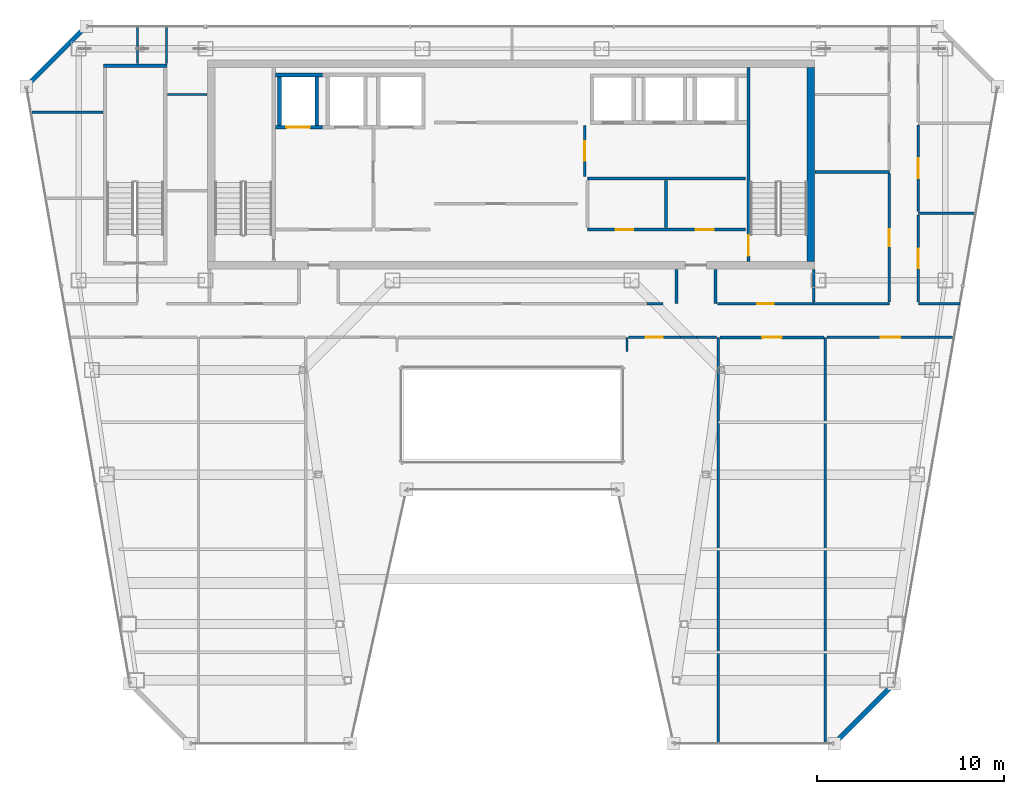
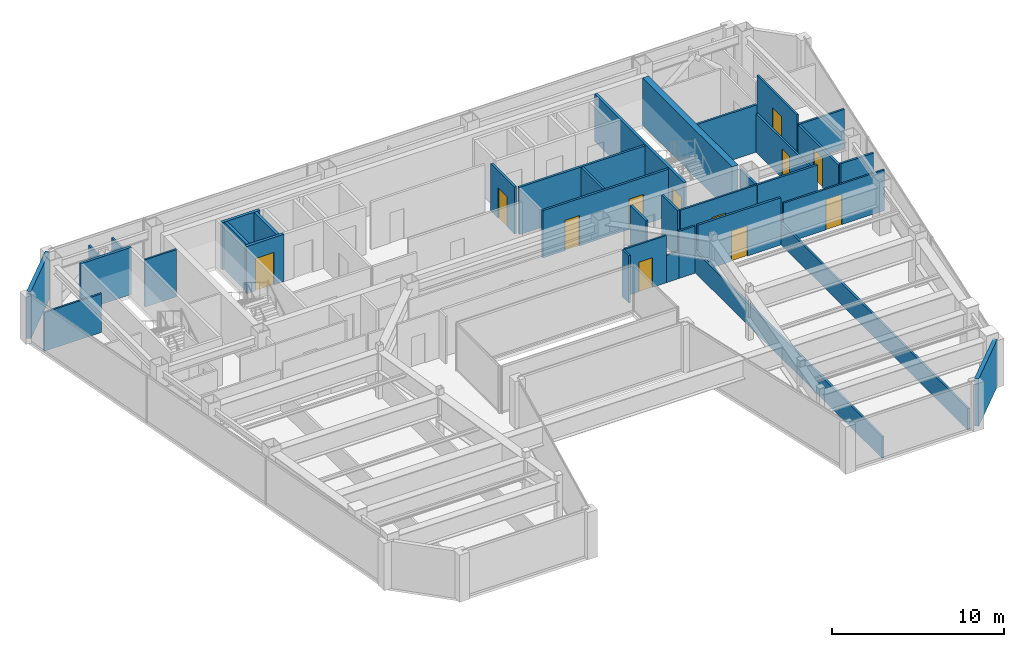
# One storey, part 29 of 35: 37 walls, 12 doors, 12 openings.
"""IFC4 building model written with IfcOpenShell, lengths in metres."""

from ifc_helpers import new_model, si_unit, direction, frame, frame_2d, origin, place, context, subcontext, project, spatial, rectangle, extrude, material, layer, layer_set, type_object, element, fill, save


model = new_model("IFC4")

# Units and contexts
model_context = context("Model", 3, precision=1e-05, world=origin(), true_north=direction((0.0, 1.0)))
body_context = subcontext(model_context, "Body", "Model", "MODEL_VIEW")
ifc_project = project(units=[si_unit("LENGTHUNIT", "METRE"), si_unit("AREAUNIT", "SQUARE_METRE"), si_unit("VOLUMEUNIT", "CUBIC_METRE"), si_unit("PLANEANGLEUNIT", "RADIAN"), si_unit("MASSUNIT", "GRAM", prefix="KILO")], contexts=[model_context])

# Site, building, storey
site_placement = place(None, origin())
site = spatial("IfcSite", under=ifc_project, at=site_placement, CompositionType="ELEMENT")
building_placement = place(site_placement, origin())
building = spatial("IfcBuilding", under=site, at=building_placement, Name="Saevonmaru Cultural Tower", CompositionType="ELEMENT")
storey_placement = place(building_placement, frame((0.0, 0.0, 249.60009765625)))
storey = spatial("IfcBuildingStorey", under=building, at=storey_placement, Name="L58", CompositionType="ELEMENT", Elevation=249.60009765625)

# Wall
ifc_material_1 = material(Name="Concrete C50/60", Category="concrete")
ifc_layer_1 = layer(ifc_material_1, 0.39990234375, Name="Concrete C50/60")
ifc_layer_set_1 = layer_set([ifc_layer_1], Name="Concrete C50/60")
wall_type_1 = type_object("IfcWallType", Name="WL-CORE-400", PredefinedType="SHEAR", material=ifc_layer_set_1)
wall_1_placement = place(storey_placement, frame((46.0, 43.39990234375, 0.0), z_axis=(0.0, 0.0, 1.0), x_axis=(0.0, 1.0, 0.0)))
element("IfcWall", 1, at=wall_1_placement, inside=storey, type_object=wall_type_1, Name="L58 Tower RC core shear wall E", PredefinedType="SHEAR", context=body_context, shape_type="SweptSolid", body=[
    extrude(rectangle(XDim=10.400146484375, YDim=0.39990234375, at=frame_2d((5.2001953125, 0.0))), origin(), (0.0, 0.0, 1.0), 3.349853515625),
])

# Wall, opening, door
ifc_material_2 = material(Name="Gypsum Fireboard Partition", Category="gypsum")
ifc_layer_2 = layer(ifc_material_2, 0.14990234375, Name="Gypsum Fireboard Partition")
ifc_layer_set_2 = layer_set([ifc_layer_2], Name="Gypsum Fireboard Partition")
wall_type_2 = type_object("IfcWallType", Name="WL-CORE-PART-150", PredefinedType="PARTITIONING", material=ifc_layer_set_2)
wall_2_placement = place(storey_placement, frame((33.89990234375, 47.949951171875, 0.0), z_axis=(0.0, 0.0, 1.0), x_axis=(0.0, 1.0, 0.0)))
wall_2 = element("IfcWall", 2, at=wall_2_placement, inside=storey, type_object=wall_type_2, Name="L58 Zone Lobby Divider", PredefinedType="PARTITIONING", context=body_context, shape_type="SweptSolid", body=[
    extrude(rectangle(XDim=2.75, YDim=0.14990234375, at=frame_2d((1.375, 0.0))), origin(), (0.0, 0.0, 1.0), 3.349853515625),
])
opening_1_placement = place(wall_2_placement, frame((0.85009765625, 0.0, 0.0)))
opening_1 = element("IfcOpeningElement", 3, at=opening_1_placement, cuts=wall_2, Name="Opening ID-1", PredefinedType="OPENING", context=body_context, shape_type="SweptSolid", body=[
    extrude(rectangle(XDim=1.050048828125, YDim=2.14990234375, at=frame_2d((0.52490234375, 1.074951171875))), frame((0.0, 0.0849609375, 0.0), z_axis=(0.0, -1.0, 0.0), x_axis=(1.0, 0.0, 0.0)), (0.0, 0.0, 1.0), 0.169921875),
])
ifc_material_3 = material(Name="Satin Bronze Anodised Aluminium", Category="aluminium")
door_type_1 = type_object("IfcDoorType", Name="DR-INT-1050", OperationType="SINGLE_SWING_LEFT", PredefinedType="DOOR", material=ifc_material_3)
door_1_placement = place(opening_1_placement, origin())
door_1 = element("IfcDoor", 4, at=door_1_placement, inside=storey, type_object=door_type_1, Name="L58 Inter-Lobby Link Door", OperationType="SINGLE_SWING_LEFT", OverallHeight=2.14990234375, OverallWidth=1.050048828125, PredefinedType="DOOR", context=body_context, shape_type="SweptSolid", body=[
    extrude(rectangle(XDim=1.050048828125, YDim=2.14990234375, at=frame_2d((0.52490234375, 1.074951171875))), frame((0.0, 0.02490234375, 0.0), z_axis=(0.0, -1.0, 0.0), x_axis=(1.0, 0.0, 0.0)), (0.0, 0.0, 1.0), 0.050048828125),
])
fill(opening_1, door_1)

# Wall, openings, doors
wall_3_placement = place(storey_placement, frame((34.050048828125, 45.1201171875, 0.0), z_axis=(0.0, 0.0, 1.0), x_axis=(1.0, 0.0, 0.0)))
wall_3 = element("IfcWall", 5, at=wall_3_placement, inside=storey, type_object=wall_type_2, Name="L58 Core Plant South Wall", PredefinedType="PARTITIONING", context=body_context, shape_type="SweptSolid", body=[
    extrude(rectangle(XDim=8.449951171875, YDim=0.14990234375, at=frame_2d((4.22509765625, 0.0))), origin(), (0.0, 0.0, 1.0), 3.349853515625),
])
opening_2_placement = place(wall_3_placement, frame((1.5, 0.0, 0.0)))
opening_2 = element("IfcOpeningElement", 6, at=opening_2_placement, cuts=wall_3, Name="Opening FD-4", PredefinedType="OPENING", context=body_context, shape_type="SweptSolid", body=[
    extrude(rectangle(XDim=0.949951171875, YDim=2.14990234375, at=frame_2d((0.47509765625, 1.074951171875))), frame((0.0, 0.0849609375, 0.0), z_axis=(0.0, -1.0, 0.0), x_axis=(1.0, 0.0, 0.0)), (0.0, 0.0, 1.0), 0.169921875),
])
opening_3_placement = place(wall_3_placement, frame((5.800048828125, 0.0, 0.0)))
opening_3 = element("IfcOpeningElement", 7, at=opening_3_placement, cuts=wall_3, Name="Opening FD-4", PredefinedType="OPENING", context=body_context, shape_type="SweptSolid", body=[
    extrude(rectangle(XDim=0.949951171875, YDim=2.14990234375, at=frame_2d((0.47509765625, 1.074951171875))), frame((0.0, 0.0849609375, 0.0), z_axis=(0.0, -1.0, 0.0), x_axis=(1.0, 0.0, 0.0)), (0.0, 0.0, 1.0), 0.169921875),
])
door_type_2 = type_object("IfcDoorType", Name="DR-FD60-950", OperationType="SINGLE_SWING_LEFT", PredefinedType="DOOR", material=ifc_material_3)
door_2_placement = place(opening_2_placement, origin())
door_2 = element("IfcDoor", 8, at=door_2_placement, inside=storey, type_object=door_type_2, Name="L58 Floor AHU Plant Door", OperationType="SINGLE_SWING_LEFT", OverallHeight=2.14990234375, OverallWidth=0.949951171875, PredefinedType="DOOR", context=body_context, shape_type="SweptSolid", body=[
    extrude(rectangle(XDim=0.949951171875, YDim=2.14990234375, at=frame_2d((0.47509765625, 1.074951171875))), frame((0.0, 0.02490234375, 0.0), z_axis=(0.0, -1.0, 0.0), x_axis=(1.0, 0.0, 0.0)), (0.0, 0.0, 1.0), 0.050048828125),
])
fill(opening_2, door_2)
door_3_placement = place(opening_3_placement, origin())
door_3 = element("IfcDoor", 9, at=door_3_placement, inside=storey, type_object=door_type_2, Name="L58 Housekeeping Storage Door", OperationType="SINGLE_SWING_LEFT", OverallHeight=2.14990234375, OverallWidth=0.949951171875, PredefinedType="DOOR", context=body_context, shape_type="SweptSolid", body=[
    extrude(rectangle(XDim=0.949951171875, YDim=2.14990234375, at=frame_2d((0.47509765625, 1.074951171875))), frame((0.0, 0.02490234375, 0.0), z_axis=(0.0, -1.0, 0.0), x_axis=(1.0, 0.0, 0.0)), (0.0, 0.0, 1.0), 0.050048828125),
])
fill(opening_3, door_3)

# Walls
wall_4_placement = place(storey_placement, frame((34.050048828125, 47.85009765625, 0.0), z_axis=(0.0, 0.0, 1.0), x_axis=(1.0, 0.0, 0.0)))
element("IfcWall", 10, at=wall_4_placement, inside=storey, type_object=wall_type_2, Name="L58 Core Plant North Wall", PredefinedType="PARTITIONING", context=body_context, shape_type="SweptSolid", body=[
    extrude(rectangle(XDim=8.449951171875, YDim=0.14990234375, at=frame_2d((4.22509765625, 0.0))), origin(), (0.0, 0.0, 1.0), 3.349853515625),
])
wall_5_placement = place(storey_placement, frame((38.25, 45.219970703125, 0.0), z_axis=(0.0, 0.0, 1.0), x_axis=(0.0, 1.0, 0.0)))
element("IfcWall", 11, at=wall_5_placement, inside=storey, type_object=wall_type_2, Name="L58 Core Plant Split", PredefinedType="PARTITIONING", context=body_context, shape_type="SweptSolid", body=[
    extrude(rectangle(XDim=2.530029296875, YDim=0.14990234375, at=frame_2d((1.26513671875, 0.0))), origin(), (0.0, 0.0, 1.0), 3.349853515625),
])
ifc_material_4 = material(Name="Granite-Clad Precast Concrete C40/50", Category="masonry")
ifc_layer_3 = layer(ifc_material_4, 0.260009765625, Name="Granite-Clad Precast Concrete C40/50")
ifc_layer_set_3 = layer_set([ifc_layer_3], Name="Granite-Clad Precast Concrete C40/50")
wall_type_3 = type_object("IfcWallType", Name="WL-EXT-SPANDREL-260", PredefinedType="STANDARD", material=ifc_layer_set_3)
wall_6_placement = place(storey_placement, frame((47.366455078125, 17.713134765625, 0.0), z_axis=(0.0, 0.0, 1.0), x_axis=(0.70707775441, 0.707135806771, 0.0)))
element("IfcWall", 12, at=wall_6_placement, inside=storey, type_object=wall_type_3, Name="L58 Chamfer Corner Spandrel Wall E7", PredefinedType="STANDARD", context=body_context, shape_type="SweptSolid", body=[
    extrude(rectangle(XDim=4.20556640625, YDim=0.260009765625, at=frame_2d((2.102783203125, 0.0))), origin(), (0.0, 0.0, 1.0), 3.349853515625),
])
wall_7_placement = place(storey_placement, frame((7.0869140625, 55.886962890625, 0.0), z_axis=(0.0, 0.0, 1.0), x_axis=(-0.707106781187, -0.707106781187, 0.0)))
element("IfcWall", 13, at=wall_7_placement, inside=storey, type_object=wall_type_3, Name="L58 Chamfer Corner Spandrel Wall E11", PredefinedType="STANDARD", context=body_context, shape_type="SweptSolid", body=[
    extrude(rectangle(XDim=4.205810546875, YDim=0.260009765625, at=frame_2d((2.10302734375, 0.0))), origin(), (0.0, 0.0, 1.0), 3.349853515625),
])

# Wall, opening, door
ifc_layer_4 = layer(ifc_material_2, 0.14990234375, Name="Gypsum Fireboard Partition")
ifc_layer_set_4 = layer_set([ifc_layer_4], Name="Gypsum Fireboard Partition")
wall_type_4 = type_object("IfcWallType", Name="WL-PART-FIRE-150", PredefinedType="PARTITIONING", material=ifc_layer_set_4)
wall_8_placement = place(storey_placement, frame((51.75, 41.237548828125, 0.0), z_axis=(0.0, 0.0, 1.0), x_axis=(0.0, 1.0, 0.0)))
wall_8 = element("IfcWall", 14, at=wall_8_placement, inside=storey, type_object=wall_type_4, Name="L58 East Asian Ceramics Gallery Corridor Wall", PredefinedType="PARTITIONING", context=body_context, shape_type="SweptSolid", body=[
    extrude(rectangle(XDim=4.675048828125, YDim=0.14990234375, at=frame_2d((2.33740234375, 0.0))), origin(), (0.0, 0.0, 1.0), 2.746826171875),
])
opening_4_placement = place(wall_8_placement, frame((1.81298828125, 0.0, 0.0)))
opening_4 = element("IfcOpeningElement", 15, at=opening_4_placement, cuts=wall_8, Name="Opening ID-1", PredefinedType="OPENING", context=body_context, shape_type="SweptSolid", body=[
    extrude(rectangle(XDim=1.050048828125, YDim=2.14990234375, at=frame_2d((0.52490234375, 1.074951171875))), frame((0.0, 0.0849609375, 0.0), z_axis=(0.0, -1.0, 0.0), x_axis=(1.0, 0.0, 0.0)), (0.0, 0.0, 1.0), 0.169921875),
])
door_4_placement = place(opening_4_placement, origin())
door_4 = element("IfcDoor", 16, at=door_4_placement, inside=storey, type_object=door_type_1, Name="L58 East Asian Ceramics Gallery Door", OperationType="SINGLE_SWING_RIGHT", OverallHeight=2.14990234375, OverallWidth=1.050048828125, PredefinedType="DOOR", context=body_context, shape_type="SweptSolid", body=[
    extrude(rectangle(XDim=1.050048828125, YDim=2.14990234375, at=frame_2d((0.52490234375, 1.074951171875))), frame((0.0, 0.02490234375, 0.0), z_axis=(0.0, -1.0, 0.0), x_axis=(1.0, 0.0, 0.0)), (0.0, 0.0, 1.0), 0.050048828125),
])
fill(opening_4, door_4)

# Walls
for number, where, z_axis, x_axis, name in (
    (17, (38.800048828125, 41.14990234375, 0.0), (0.0, 0.0, 1.0), (0.0, 1.0, 0.0), "L58 Core Portal Side Wall E1"),
    (18, (40.89990234375, 41.14990234375, 0.0), (0.0, 0.0, 1.0), (0.0, 1.0, 0.0), "L58 Core Portal Side Wall E2"),
):
    element("IfcWall", number, at=place(storey_placement, frame(where, z_axis=z_axis, x_axis=x_axis)), inside=storey, type_object=wall_type_4, Name=name, PredefinedType="PARTITIONING", context=body_context, shape_type="SweptSolid", body=[
        extrude(rectangle(XDim=1.830078125, YDim=0.14990234375, at=frame_2d((0.9150390625, 0.0))), origin(), (0.0, 0.0, 1.0), 3.349853515625),
    ])

# Wall, opening, door
wall_9_placement = place(storey_placement, frame((41.12744140625, 39.35009765625, 0.0), z_axis=(0.0, 0.0, 1.0), x_axis=(1.0, 0.0, 0.0)))
wall_9 = element("IfcWall", 19, at=wall_9_placement, inside=storey, type_object=wall_type_4, Name="L58 East Asian Ceramics Gallery Corridor Wall", PredefinedType="PARTITIONING", context=body_context, shape_type="SweptSolid", body=[
    extrude(rectangle(XDim=5.56494140625, YDim=0.14990234375, at=frame_2d((2.782470703125, 0.0))), origin(), (0.0, 0.0, 1.0), 3.349853515625),
])
opening_5_placement = place(wall_9_placement, frame((2.258056640625, 0.0, 0.0)))
opening_5 = element("IfcOpeningElement", 20, at=opening_5_placement, cuts=wall_9, Name="Opening ID-1", PredefinedType="OPENING", context=body_context, shape_type="SweptSolid", body=[
    extrude(rectangle(XDim=1.050048828125, YDim=2.14990234375, at=frame_2d((0.52490234375, 1.074951171875))), frame((0.0, 0.0849609375, 0.0), z_axis=(0.0, -1.0, 0.0), x_axis=(1.0, 0.0, 0.0)), (0.0, 0.0, 1.0), 0.169921875),
])
door_5_placement = place(opening_5_placement, origin())
door_5 = element("IfcDoor", 21, at=door_5_placement, inside=storey, type_object=door_type_1, Name="L58 East Asian Ceramics Gallery Door", OperationType="SINGLE_SWING_RIGHT", OverallHeight=2.14990234375, OverallWidth=1.050048828125, PredefinedType="DOOR", context=body_context, shape_type="SweptSolid", body=[
    extrude(rectangle(XDim=1.050048828125, YDim=2.14990234375, at=frame_2d((0.52490234375, 1.074951171875))), frame((0.0, 0.02490234375, 0.0), z_axis=(0.0, -1.0, 0.0), x_axis=(1.0, 0.0, 0.0)), (0.0, 0.0, 1.0), 0.050048828125),
])
fill(opening_5, door_5)

# Walls
ifc_layer_5 = layer(ifc_material_2, 0.1201171875, Name="Gypsum Fireboard Partition")
ifc_layer_set_5 = layer_set([ifc_layer_5], Name="Gypsum Fireboard Partition")
wall_type_5 = type_object("IfcWallType", Name="WL-PART-GYP-120", PredefinedType="PARTITIONING", material=ifc_layer_set_5)
wall_10_placement = place(storey_placement, frame((11.550048828125, 52.35009765625, 0.0), z_axis=(0.0, 0.0, 1.0), x_axis=(1.0, 0.0, 0.0)))
element("IfcWall", 22, at=wall_10_placement, inside=storey, type_object=wall_type_5, Name="L58 North-West Panorama South Wall", PredefinedType="PARTITIONING", context=body_context, shape_type="SweptSolid", body=[
    extrude(rectangle(XDim=2.1298828125, YDim=0.1201171875, at=frame_2d((1.06494140625, 0.0))), origin(), (0.0, 0.0, 1.0), 3.349853515625),
])
wall_11_placement = place(storey_placement, frame((11.5, 54.0, 0.0), z_axis=(0.0, 0.0, 1.0), x_axis=(0.0, 1.0, 0.0)))
element("IfcWall", 23, at=wall_11_placement, inside=storey, type_object=wall_type_5, Name="L58 Literature Seminar Meeting Room Corridor Wall", PredefinedType="PARTITIONING", context=body_context, shape_type="SweptSolid", body=[
    extrude(rectangle(XDim=1.9951171875, YDim=0.1201171875, at=frame_2d((0.99755859375, 0.0))), origin(), (0.0, 0.0, 1.0), 2.73486328125),
])
wall_12_placement = place(storey_placement, frame((4.247802734375, 51.39990234375, 0.0), z_axis=(0.0, 0.0, 1.0), x_axis=(1.0, 0.0, 0.0)))
element("IfcWall", 24, at=wall_12_placement, inside=storey, type_object=wall_type_5, Name="L58 NW Studio Divider 2", PredefinedType="PARTITIONING", context=body_context, shape_type="SweptSolid", body=[
    extrude(rectangle(XDim=3.852294921875, YDim=0.1201171875, at=frame_2d((1.92626953125, 0.0))), origin(), (0.0, 0.0, 1.0), 2.746826171875),
])
wall_13_placement = place(storey_placement, frame((9.949951171875, 54.0, 0.0), z_axis=(0.0, 0.0, 1.0), x_axis=(0.0, 1.0, 0.0)))
element("IfcWall", 25, at=wall_13_placement, inside=storey, type_object=wall_type_5, Name="L58 Literature Seminar Meeting Room Corridor Wall", PredefinedType="PARTITIONING", context=body_context, shape_type="SweptSolid", body=[
    extrude(rectangle(XDim=1.9951171875, YDim=0.1201171875, at=frame_2d((0.99755859375, 0.0))), origin(), (0.0, 0.0, 1.0), 2.73486328125),
])

# Wall, opening, door
wall_14_placement = place(storey_placement, frame((51.75, 46.08740234375, 0.0), z_axis=(0.0, 0.0, 1.0), x_axis=(0.0, 1.0, 0.0)))
wall_14 = element("IfcWall", 26, at=wall_14_placement, inside=storey, type_object=wall_type_5, Name="L58 Rare Folio Reading Room Corridor Wall", PredefinedType="PARTITIONING", context=body_context, shape_type="SweptSolid", body=[
    extrude(rectangle(XDim=4.625, YDim=0.1201171875, at=frame_2d((2.3125, 0.0))), origin(), (0.0, 0.0, 1.0), 3.349853515625),
])
opening_6_placement = place(wall_14_placement, frame((1.7880859375, 0.0, 0.0)))
opening_6 = element("IfcOpeningElement", 27, at=opening_6_placement, cuts=wall_14, Name="Opening ID-1", PredefinedType="OPENING", context=body_context, shape_type="SweptSolid", body=[
    extrude(rectangle(XDim=1.050048828125, YDim=2.14990234375, at=frame_2d((0.52490234375, 1.074951171875))), frame((0.0, 0.070068359375, 0.0), z_axis=(0.0, -1.0, 0.0), x_axis=(1.0, 0.0, 0.0)), (0.0, 0.0, 1.0), 0.14013671875),
])
door_6_placement = place(opening_6_placement, origin())
door_6 = element("IfcDoor", 28, at=door_6_placement, inside=storey, type_object=door_type_1, Name="L58 Rare Folio Reading Room Door", OperationType="SINGLE_SWING_LEFT", OverallHeight=2.14990234375, OverallWidth=1.050048828125, PredefinedType="DOOR", context=body_context, shape_type="SweptSolid", body=[
    extrude(rectangle(XDim=1.050048828125, YDim=2.14990234375, at=frame_2d((0.52490234375, 1.074951171875))), frame((0.0, 0.02490234375, 0.0), z_axis=(0.0, -1.0, 0.0), x_axis=(1.0, 0.0, 0.0)), (0.0, 0.0, 1.0), 0.050048828125),
])
fill(opening_6, door_6)

# Wall
wall_15_placement = place(storey_placement, frame((37.216796875, 41.14990234375, 0.0), z_axis=(0.0, 0.0, 1.0), x_axis=(1.0, 0.0, 0.0)))
element("IfcWall", 29, at=wall_15_placement, inside=storey, type_object=wall_type_5, Name="L58 Curatorial Board Meeting Room Corridor Wall (4)", PredefinedType="PARTITIONING", context=body_context, shape_type="SweptSolid", body=[
    extrude(rectangle(XDim=0.862060546875, YDim=0.1201171875, at=frame_2d((0.43115234375, 0.0))), origin(), (0.0, 0.0, 1.0), 1.934814453125),
])

# Wall, opening, door
wall_16_placement = place(storey_placement, frame((40.9951171875, 41.14990234375, 0.0), z_axis=(0.0, 0.0, 1.0), x_axis=(1.0, 0.0, 0.0)))
wall_16 = element("IfcWall", 30, at=wall_16_placement, inside=storey, type_object=wall_type_5, Name="L58 Literature Seminar Meeting Room Corridor Wall", PredefinedType="PARTITIONING", context=body_context, shape_type="SweptSolid", body=[
    extrude(rectangle(XDim=5.15478515625, YDim=0.1201171875, at=frame_2d((2.577392578125, 0.0))), origin(), (0.0, 0.0, 1.0), 3.349853515625),
])
opening_7_placement = place(wall_16_placement, frame((2.1279296875, 0.0, 0.0)))
opening_7 = element("IfcOpeningElement", 31, at=opening_7_placement, cuts=wall_16, Name="Opening ID-2", PredefinedType="OPENING", context=body_context, shape_type="SweptSolid", body=[
    extrude(rectangle(XDim=0.89990234375, YDim=2.10009765625, at=frame_2d((0.449951171875, 1.050048828125))), frame((0.0, 0.070068359375, 0.0), z_axis=(0.0, -1.0, 0.0), x_axis=(1.0, 0.0, 0.0)), (0.0, 0.0, 1.0), 0.14013671875),
])
ifc_material_5 = material(Name="Acoustic Stained Oak Timber", Category="wood")
door_type_3 = type_object("IfcDoorType", Name="DR-INT-900", OperationType="SINGLE_SWING_RIGHT", PredefinedType="DOOR", material=ifc_material_5)
door_7_placement = place(opening_7_placement, origin())
door_7 = element("IfcDoor", 32, at=door_7_placement, inside=storey, type_object=door_type_3, Name="L58 Literature Seminar Meeting Room Door", OperationType="SINGLE_SWING_LEFT", OverallHeight=2.10009765625, OverallWidth=0.89990234375, PredefinedType="DOOR", context=body_context, shape_type="SweptSolid", body=[
    extrude(rectangle(XDim=0.89990234375, YDim=2.10009765625, at=frame_2d((0.449951171875, 1.050048828125))), frame((0.0, 0.02490234375, 0.0), z_axis=(0.0, -1.0, 0.0), x_axis=(1.0, 0.0, 0.0)), (0.0, 0.0, 1.0), 0.050048828125),
])
fill(opening_7, door_7)

# Wall
wall_17_placement = place(storey_placement, frame((36.14990234375, 38.60009765625, 0.0), z_axis=(0.0, 0.0, 1.0), x_axis=(0.0, 1.0, 0.0)))
element("IfcWall", 33, at=wall_17_placement, inside=storey, type_object=wall_type_5, Name="L58 North Atrium East Wall", PredefinedType="PARTITIONING", context=body_context, shape_type="SweptSolid", body=[
    extrude(rectangle(XDim=0.75, YDim=0.1201171875, at=frame_2d((0.375, 0.0))), origin(), (0.0, 0.0, 1.0), 3.349853515625),
])

# Wall, opening, door
wall_18_placement = place(storey_placement, frame((36.22998046875, 39.35009765625, 0.0), z_axis=(0.0, 0.0, 1.0), x_axis=(1.0, 0.0, 0.0)))
wall_18 = element("IfcWall", 34, at=wall_18_placement, inside=storey, type_object=wall_type_5, Name="L58 Literature Seminar Meeting Room Corridor Wall", PredefinedType="PARTITIONING", context=body_context, shape_type="SweptSolid", body=[
    extrude(rectangle(XDim=2.783935546875, YDim=0.1201171875, at=frame_2d((1.39208984375, 0.0))), origin(), (0.0, 0.0, 1.0), 3.349853515625),
])
opening_8_placement = place(wall_18_placement, frame((0.94189453125, 0.0, 0.0)))
opening_8 = element("IfcOpeningElement", 35, at=opening_8_placement, cuts=wall_18, Name="Opening ID-2", PredefinedType="OPENING", context=body_context, shape_type="SweptSolid", body=[
    extrude(rectangle(XDim=0.89990234375, YDim=2.10009765625, at=frame_2d((0.449951171875, 1.050048828125))), frame((0.0, 0.070068359375, 0.0), z_axis=(0.0, -1.0, 0.0), x_axis=(1.0, 0.0, 0.0)), (0.0, 0.0, 1.0), 0.14013671875),
])
door_8_placement = place(opening_8_placement, origin())
door_8 = element("IfcDoor", 36, at=door_8_placement, inside=storey, type_object=door_type_3, Name="L58 Literature Seminar Meeting Room Door", OperationType="SINGLE_SWING_LEFT", OverallHeight=2.10009765625, OverallWidth=0.89990234375, PredefinedType="DOOR", context=body_context, shape_type="SweptSolid", body=[
    extrude(rectangle(XDim=0.89990234375, YDim=2.10009765625, at=frame_2d((0.449951171875, 1.050048828125))), frame((0.0, 0.02490234375, 0.0), z_axis=(0.0, -1.0, 0.0), x_axis=(1.0, 0.0, 0.0)), (0.0, 0.0, 1.0), 0.050048828125),
])
fill(opening_8, door_8)

# Walls
wall_19_placement = place(storey_placement, frame((39.8759765625, 39.35009765625, 0.0), z_axis=(0.0, 0.0, 1.0), x_axis=(1.0, 0.0, 0.0)))
element("IfcWall", 37, at=wall_19_placement, inside=storey, type_object=wall_type_5, Name="L58 Literature Seminar Meeting Room Corridor Wall (2)", PredefinedType="PARTITIONING", context=body_context, shape_type="SweptSolid", body=[
    extrude(rectangle(XDim=1.076416015625, YDim=0.1201171875, at=frame_2d((0.5380859375, 0.0))), origin(), (0.0, 0.0, 1.0), 3.349853515625),
])
wall_20_placement = place(storey_placement, frame((39.013916015625, 39.35009765625, 0.0), z_axis=(0.0, 0.0, 1.0), x_axis=(1.0, 0.0, 0.0)))
element("IfcWall", 38, at=wall_20_placement, inside=storey, type_object=wall_type_5, Name="L58 Literature Seminar Meeting Room Corridor Wall (3)", PredefinedType="PARTITIONING", context=body_context, shape_type="SweptSolid", body=[
    extrude(rectangle(XDim=0.862060546875, YDim=0.1201171875, at=frame_2d((0.43115234375, 0.0))), origin(), (0.0, 0.0, 1.0), 1.934814453125),
])

# Wall, opening, door
wall_21_placement = place(storey_placement, frame((46.867431640625, 39.35009765625, 0.0), z_axis=(0.0, 0.0, 1.0), x_axis=(1.0, 0.0, 0.0)))
wall_21 = element("IfcWall", 39, at=wall_21_placement, inside=storey, type_object=wall_type_5, Name="L58 Rare Folio Reading Room Corridor Wall", PredefinedType="PARTITIONING", context=body_context, shape_type="SweptSolid", body=[
    extrude(rectangle(XDim=6.796142578125, YDim=0.1201171875, at=frame_2d((3.39794921875, 0.0))), origin(), (0.0, 0.0, 1.0), 2.885009765625),
])
opening_9_placement = place(wall_21_placement, frame((2.873046875, 0.0, 0.0)))
opening_9 = element("IfcOpeningElement", 40, at=opening_9_placement, cuts=wall_21, Name="Opening ID-1", PredefinedType="OPENING", context=body_context, shape_type="SweptSolid", body=[
    extrude(rectangle(XDim=1.050048828125, YDim=2.14990234375, at=frame_2d((0.52490234375, 1.074951171875))), frame((0.0, 0.070068359375, 0.0), z_axis=(0.0, -1.0, 0.0), x_axis=(1.0, 0.0, 0.0)), (0.0, 0.0, 1.0), 0.14013671875),
])
door_9_placement = place(opening_9_placement, origin())
door_9 = element("IfcDoor", 41, at=door_9_placement, inside=storey, type_object=door_type_1, Name="L58 Rare Folio Reading Room Door", OperationType="SINGLE_SWING_LEFT", OverallHeight=2.14990234375, OverallWidth=1.050048828125, PredefinedType="DOOR", context=body_context, shape_type="SweptSolid", body=[
    extrude(rectangle(XDim=1.050048828125, YDim=2.14990234375, at=frame_2d((0.52490234375, 1.074951171875))), frame((0.0, 0.02490234375, 0.0), z_axis=(0.0, -1.0, 0.0), x_axis=(1.0, 0.0, 0.0)), (0.0, 0.0, 1.0), 0.050048828125),
])
fill(opening_9, door_9)

# Walls
ifc_layer_6 = layer(ifc_material_2, 0.135009765625, Name="Gypsum Fireboard Partition")
ifc_layer_set_6 = layer_set([ifc_layer_6], Name="Gypsum Fireboard Partition")
wall_type_6 = type_object("IfcWallType", Name="WL-PART-GYP-135", PredefinedType="PARTITIONING", material=ifc_layer_set_6)
wall_22_placement = place(storey_placement, frame((51.75, 41.14990234375, 0.0), z_axis=(0.0, 0.0, 1.0), x_axis=(1.0, 0.0, 0.0)))
element("IfcWall", 42, at=wall_22_placement, inside=storey, type_object=wall_type_6, Name="L58 NE Wing South Wall", PredefinedType="PARTITIONING", context=body_context, shape_type="SweptSolid", body=[
    extrude(rectangle(XDim=2.2255859375, YDim=0.135009765625, at=frame_2d((1.11279296875, 0.0))), origin(), (0.0, 0.0, 1.0), 2.885009765625),
])
wall_23_placement = place(storey_placement, frame((51.75, 46.0, 0.0), z_axis=(0.0, 0.0, 1.0), x_axis=(1.0, 0.0, 0.0)))
element("IfcWall", 43, at=wall_23_placement, inside=storey, type_object=wall_type_6, Name="L58 NE Studio Divider 1", PredefinedType="PARTITIONING", context=body_context, shape_type="SweptSolid", body=[
    extrude(rectangle(XDim=3.06640625, YDim=0.135009765625, at=frame_2d((1.533203125, 0.0))), origin(), (0.0, 0.0, 1.0), 2.746826171875),
])
for number, where, z_axis, x_axis, name in (
    (44, (41.0400390625, 17.60498046875, 0.0), (0.0, 0.0, 1.0), (0.0, 1.0, 0.0), "L58 East Bay Divider 1"),
    (45, (46.780029296875, 17.60498046875, 0.0), (0.0, 0.0, 1.0), (0.0, 1.0, 0.0), "L58 East Bay Divider 2"),
):
    element("IfcWall", number, at=place(storey_placement, frame(where, z_axis=z_axis, x_axis=x_axis)), inside=storey, type_object=wall_type_6, Name=name, PredefinedType="PARTITIONING", context=body_context, shape_type="SweptSolid", body=[
        extrude(rectangle(XDim=21.7451171875, YDim=0.135009765625, at=frame_2d((10.87255859375, 0.0))), origin(), (0.0, 0.0, 1.0), 1.534912109375),
    ])
ifc_layer_7 = layer(ifc_material_2, 0.139892578125, Name="Gypsum Fireboard Partition")
ifc_layer_set_7 = layer_set([ifc_layer_7], Name="Gypsum Fireboard Partition")
wall_type_7 = type_object("IfcWallType", Name="WL-PART-WET-140", PredefinedType="PARTITIONING", material=ifc_layer_set_7)
wall_24_placement = place(storey_placement, frame((46.14990234375, 41.14990234375, 0.0), z_axis=(0.0, 0.0, 1.0), x_axis=(1.0, 0.0, 0.0)))
element("IfcWall", 46, at=wall_24_placement, inside=storey, type_object=wall_type_7, Name="L58 Washroom South Wall", PredefinedType="PARTITIONING", context=body_context, shape_type="SweptSolid", body=[
    extrude(rectangle(XDim=4.050048828125, YDim=0.139892578125, at=frame_2d((2.02490234375, 0.0))), origin(), (0.0, 0.0, 1.0), 3.349853515625),
])
wall_25_placement = place(storey_placement, frame((46.14990234375, 41.239990234375, 0.0), z_axis=(0.0, 0.0, 1.0), x_axis=(0.0, 1.0, 0.0)))
element("IfcWall", 47, at=wall_25_placement, inside=storey, type_object=wall_type_7, Name="L58 Washroom South-West Return", PredefinedType="PARTITIONING", context=body_context, shape_type="SweptSolid", body=[
    extrude(rectangle(XDim=1.739990234375, YDim=0.139892578125, at=frame_2d((0.8701171875, 0.0))), origin(), (0.0, 0.0, 1.0), 3.349853515625),
])
wall_26_placement = place(storey_placement, frame((46.219970703125, 48.199951171875, 0.0), z_axis=(0.0, 0.0, 1.0), x_axis=(1.0, 0.0, 0.0)))
element("IfcWall", 48, at=wall_26_placement, inside=storey, type_object=wall_type_7, Name="L58 Washroom North Wall", PredefinedType="PARTITIONING", context=body_context, shape_type="SweptSolid", body=[
    extrude(rectangle(XDim=3.97998046875, YDim=0.139892578125, at=frame_2d((1.989990234375, 0.0))), origin(), (0.0, 0.0, 1.0), 3.349853515625),
])

# Wall, opening, door
wall_27_placement = place(storey_placement, frame((50.199951171875, 41.239990234375, 0.0), z_axis=(0.0, 0.0, 1.0), x_axis=(0.0, 1.0, 0.0)))
wall_27 = element("IfcWall", 49, at=wall_27_placement, inside=storey, type_object=wall_type_7, Name="L58 Washroom Corridor Wall", PredefinedType="PARTITIONING", context=body_context, shape_type="SweptSolid", body=[
    extrude(rectangle(XDim=6.8701171875, YDim=0.139892578125, at=frame_2d((3.43505859375, 0.0))), origin(), (0.0, 0.0, 1.0), 2.746826171875),
])
opening_10_placement = place(wall_27_placement, frame((2.985107421875, 0.0, 0.0)))
opening_10 = element("IfcOpeningElement", 50, at=opening_10_placement, cuts=wall_27, Name="Opening ID-2", PredefinedType="OPENING", context=body_context, shape_type="SweptSolid", body=[
    extrude(rectangle(XDim=0.89990234375, YDim=2.10009765625, at=frame_2d((0.449951171875, 1.050048828125))), frame((0.0, 0.080078125, 0.0), z_axis=(0.0, -1.0, 0.0), x_axis=(1.0, 0.0, 0.0)), (0.0, 0.0, 1.0), 0.159912109375),
])
door_10_placement = place(opening_10_placement, origin())
door_10 = element("IfcDoor", 51, at=door_10_placement, inside=storey, type_object=door_type_3, Name="L58 Public Accessible Washrooms Door", OperationType="SINGLE_SWING_RIGHT", OverallHeight=2.10009765625, OverallWidth=0.89990234375, PredefinedType="DOOR", context=body_context, shape_type="SweptSolid", body=[
    extrude(rectangle(XDim=0.89990234375, YDim=2.10009765625, at=frame_2d((0.449951171875, 1.050048828125))), frame((0.0, 0.02490234375, 0.0), z_axis=(0.0, -1.0, 0.0), x_axis=(1.0, 0.0, 0.0)), (0.0, 0.0, 1.0), 0.050048828125),
])
fill(opening_10, door_10)

ifc_material_6 = material(Name="Concrete C40/50", Category="concrete")
ifc_layer_8 = layer(ifc_material_6, 0.199951171875, Name="Concrete C40/50")
ifc_layer_set_8 = layer_set([ifc_layer_8], Name="Concrete C40/50")
wall_type_8 = type_object("IfcWallType", Name="WL-SHAFT-200", PredefinedType="SHEAR", material=ifc_layer_set_8)
wall_28_placement = place(storey_placement, frame((17.330078125, 50.60009765625, 0.0), z_axis=(0.0, 0.0, 1.0), x_axis=(1.0, 0.0, 0.0)))
wall_28 = element("IfcWall", 52, at=wall_28_placement, inside=storey, type_object=wall_type_8, Name="L58 Lift FFL-1 Hoistway Wall S", PredefinedType="SHEAR", context=body_context, shape_type="SweptSolid", body=[
    extrude(rectangle(XDim=2.52001953125, YDim=0.199951171875, at=frame_2d((1.260009765625, 0.0))), origin(), (0.0, 0.0, 1.0), 3.349853515625),
])
opening_11_placement = place(wall_28_placement, frame((0.594970703125, 0.0, 0.0)))
opening_11 = element("IfcOpeningElement", 53, at=opening_11_placement, cuts=wall_28, Name="Opening LD-2", PredefinedType="OPENING", context=body_context, shape_type="SweptSolid", body=[
    extrude(rectangle(XDim=1.25, YDim=2.300048828125, at=frame_2d((0.625, 1.14990234375))), frame((0.0, 0.10986328125, 0.0), z_axis=(0.0, -1.0, 0.0), x_axis=(1.0, 0.0, 0.0)), (0.0, 0.0, 1.0), 0.219970703125),
])
ifc_material_7 = material(Name="Stainless Steel 316", Category="steel")
door_type_4 = type_object("IfcDoorType", Name="DR-LIFT-1250", OperationType="SLIDING_TO_LEFT", PredefinedType="DOOR", material=ifc_material_7)
door_11_placement = place(opening_11_placement, origin())
door_11 = element("IfcDoor", 54, at=door_11_placement, inside=storey, type_object=door_type_4, Name="L58 Lift FFL-1 Sliding Landing Door", OperationType="SLIDING_TO_LEFT", OverallHeight=2.300048828125, OverallWidth=1.25, PredefinedType="DOOR", context=body_context, shape_type="SweptSolid", body=[
    extrude(rectangle(XDim=1.25, YDim=2.300048828125, at=frame_2d((0.625, 1.14990234375))), frame((0.0, 0.02490234375, 0.0), z_axis=(0.0, -1.0, 0.0), x_axis=(1.0, 0.0, 0.0)), (0.0, 0.0, 1.0), 0.050048828125),
])
fill(opening_11, door_11)

# Walls
wall_29_placement = place(storey_placement, frame((17.330078125, 53.39990234375, 0.0), z_axis=(0.0, 0.0, 1.0), x_axis=(1.0, 0.0, 0.0)))
element("IfcWall", 55, at=wall_29_placement, inside=storey, type_object=wall_type_8, Name="L58 Lift FFL-1 Hoistway Wall N", PredefinedType="SHEAR", context=body_context, shape_type="SweptSolid", body=[
    extrude(rectangle(XDim=2.52001953125, YDim=0.199951171875, at=frame_2d((1.260009765625, 0.0))), origin(), (0.0, 0.0, 1.0), 3.349853515625),
])
for number, where, z_axis, x_axis, name in (
    (56, (17.550048828125, 50.699951171875, 0.0), (0.0, 0.0, 1.0), (0.0, 1.0, 0.0), "L58 Lift FFL-1 Hoistway Wall W"),
    (57, (19.550048828125, 50.699951171875, 0.0), (0.0, 0.0, 1.0), (0.0, 1.0, 0.0), "L58 Lift FFL-1 Hoistway Wall E"),
):
    element("IfcWall", number, at=place(storey_placement, frame(where, z_axis=z_axis, x_axis=x_axis)), inside=storey, type_object=wall_type_8, Name=name, PredefinedType="SHEAR", context=body_context, shape_type="SweptSolid", body=[
        extrude(rectangle(XDim=2.60009765625, YDim=0.199951171875, at=frame_2d((1.300048828125, 0.0))), origin(), (0.0, 0.0, 1.0), 3.349853515625),
    ])

# Wall, opening, door
ifc_layer_9 = layer(ifc_material_6, 0.179931640625, Name="Concrete C40/50")
ifc_layer_set_9 = layer_set([ifc_layer_9], Name="Concrete C40/50")
wall_type_9 = type_object("IfcWallType", Name="WL-STSHAFT-180", PredefinedType="SHEAR", material=ifc_layer_set_9)
wall_30_placement = place(storey_placement, frame((42.659912109375, 53.800048828125, 0.0), z_axis=(0.0, 0.0, 1.0), x_axis=(0.0, -1.0, 0.0)))
wall_30 = element("IfcWall", 58, at=wall_30_placement, inside=storey, type_object=wall_type_9, Name="L58 Stair ST-2 Structural Shaft Wall 1", PredefinedType="SHEAR", context=body_context, shape_type="SweptSolid", body=[
    extrude(rectangle(XDim=10.400146484375, YDim=0.179931640625, at=frame_2d((5.2001953125, 0.0))), origin(), (0.0, 0.0, 1.0), 3.349853515625),
])
opening_12_placement = place(wall_30_placement, frame((8.989990234375, 0.0, 0.0)))
opening_12 = element("IfcOpeningElement", 59, at=opening_12_placement, cuts=wall_30, Name="Opening FD-2", PredefinedType="OPENING", context=body_context, shape_type="SweptSolid", body=[
    extrude(rectangle(XDim=1.10009765625, YDim=2.14990234375, at=frame_2d((0.550048828125, 1.074951171875))), frame((0.0, 0.10009765625, 0.0), z_axis=(0.0, -1.0, 0.0), x_axis=(1.0, 0.0, 0.0)), (0.0, 0.0, 1.0), 0.199951171875),
])
door_type_5 = type_object("IfcDoorType", Name="DR-FD60-1100", OperationType="SINGLE_SWING_LEFT", PredefinedType="DOOR", material=ifc_material_3)
door_12_placement = place(opening_12_placement, origin())
door_12 = element("IfcDoor", 60, at=door_12_placement, inside=storey, type_object=door_type_5, Name="L58 Protected Stair ST-2 Fire Door", OperationType="SINGLE_SWING_LEFT", OverallHeight=2.14990234375, OverallWidth=1.10009765625, PredefinedType="DOOR", context=body_context, shape_type="SweptSolid", body=[
    extrude(rectangle(XDim=1.10009765625, YDim=2.14990234375, at=frame_2d((0.550048828125, 1.074951171875))), frame((0.0, 0.02490234375, 0.0), z_axis=(0.0, -1.0, 0.0), x_axis=(1.0, 0.0, 0.0)), (0.0, 0.0, 1.0), 0.050048828125),
])
fill(opening_12, door_12)

# Wall
wall_31_placement = place(storey_placement, frame((11.530029296875, 53.889892578125, 0.0), z_axis=(0.0, 0.0, 1.0), x_axis=(-1.0, 0.0, 0.0)))
element("IfcWall", 61, at=wall_31_placement, inside=storey, type_object=wall_type_9, Name="L58 Stair ST-3 Structural Shaft Wall 3", PredefinedType="SHEAR", context=body_context, shape_type="SweptSolid", body=[
    extrude(rectangle(XDim=3.409912109375, YDim=0.179931640625, at=frame_2d((1.705078125, 0.0))), origin(), (0.0, 0.0, 1.0), 3.349853515625),
])

save(model, "model.ifc")
